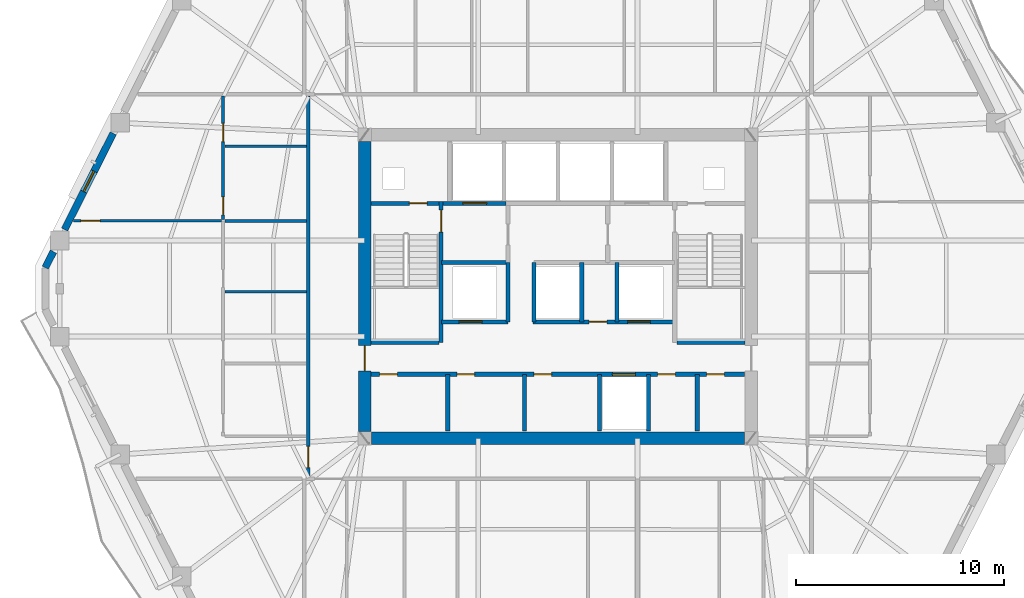
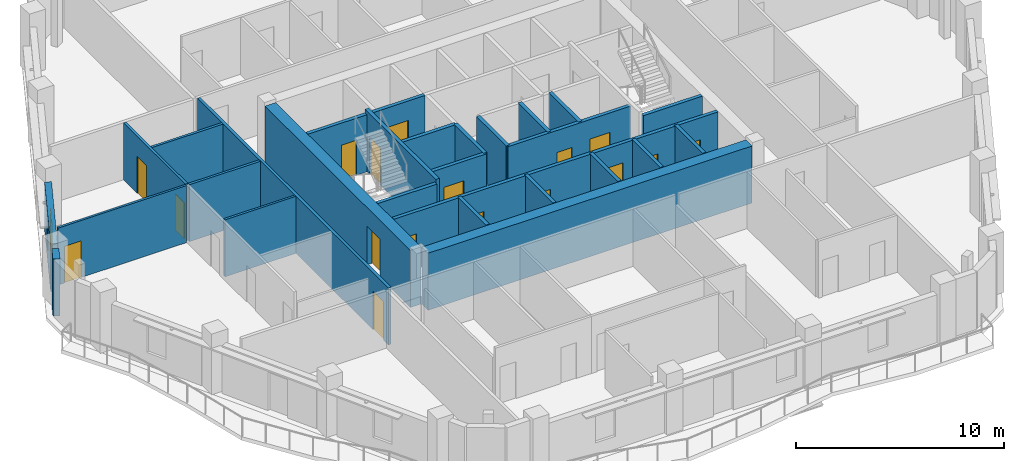
# One storey, part 5 of 12: 28 walls, 17 doors, 1 window, 18 openings.
"""IFC4 building model written with IfcOpenShell, lengths in metres."""

from ifc_helpers import new_model, si_unit, direction, frame, frame_2d, origin, place, context, subcontext, project, spatial, rectangle, extrude, material, layer, layer_set, type_object, element, fill, save


model = new_model("IFC4")

# Units and contexts
model_context = context("Model", 3, precision=1e-05, world=origin(), true_north=direction((0.0, 1.0)))
body_context = subcontext(model_context, "Body", "Model", "MODEL_VIEW")
ifc_project = project(units=[si_unit("LENGTHUNIT", "METRE"), si_unit("AREAUNIT", "SQUARE_METRE"), si_unit("VOLUMEUNIT", "CUBIC_METRE"), si_unit("PLANEANGLEUNIT", "RADIAN"), si_unit("MASSUNIT", "GRAM", prefix="KILO")], contexts=[model_context])

# Site, building, storey
site_placement = place(None, origin())
site = spatial("IfcSite", under=ifc_project, at=site_placement, CompositionType="ELEMENT")
building_placement = place(site_placement, origin())
building = spatial("IfcBuilding", under=site, at=building_placement, Name="Cinnabar Lancet Tower", CompositionType="ELEMENT")
storey_placement = place(building_placement, frame((0.0, 0.0, 153.5)))
storey = spatial("IfcBuildingStorey", under=building, at=storey_placement, Name="L40", CompositionType="ELEMENT", Elevation=153.5)

# Wall, opening, door
ifc_material_1 = material(Name="Acoustic twin-stud gypsum partition", Category="gypsum")
ifc_layer_1 = layer(ifc_material_1, 0.159912109375)
ifc_layer_set_1 = layer_set([ifc_layer_1], Name="Acoustic twin-stud gypsum partition")
wall_type_1 = type_object("IfcWallType", Name="ARC-WL-CORR-160", PredefinedType="PARTITIONING", material=ifc_layer_set_1)
wall_1_placement = place(storey_placement, frame((20.39990234375, 16.7451171875, 0.0), z_axis=(0.0, 0.0, 1.0), x_axis=(0.0, 1.0, 0.0)))
wall_1 = element("IfcWall", 1, at=wall_1_placement, inside=storey, type_object=wall_type_1, Name="UW-L40-W01-COR", PredefinedType="PARTITIONING", context=body_context, shape_type="SweptSolid", body=[
    extrude(rectangle(XDim=18.309814453125, YDim=0.159912109375, at=frame_2d((9.15478515625, 0.0))), origin(), (0.0, 0.0, 1.0), 3.340087890625),
])
opening_1_placement = place(wall_1_placement, frame((0.449951171875, 0.0, 0.0)))
opening_1 = element("IfcOpeningElement", 2, at=opening_1_placement, cuts=wall_1, Name="Opening UD-01", PredefinedType="OPENING", context=body_context, shape_type="SweptSolid", body=[
    extrude(rectangle(XDim=1.02001953125, YDim=2.25, at=frame_2d((0.510009765625, 1.125))), frame((0.0, 0.08984375, 0.0), z_axis=(0.0, -1.0, 0.0), x_axis=(1.0, 0.0, 0.0)), (0.0, 0.0, 1.0), 0.179931640625),
])
ifc_material_2 = material(Name="Solid timber fire-rated apartment entrance door", Category="wood")
door_type_1 = type_object("IfcDoorType", Name="ARC-DR-UNIT", OperationType="NOTDEFINED", PredefinedType="DOOR", material=ifc_material_2)
door_1_placement = place(opening_1_placement, origin())
door_1 = element("IfcDoor", 3, at=door_1_placement, inside=storey, type_object=door_type_1, Name="DR-L40-W01-ENT", OperationType="SINGLE_SWING_LEFT", OverallHeight=2.25, OverallWidth=1.02001953125, PredefinedType="DOOR", context=body_context, shape_type="SweptSolid", body=[
    extrude(rectangle(XDim=1.02001953125, YDim=2.25, at=frame_2d((0.510009765625, 1.125))), frame((0.0, 0.02490234375, 0.0), z_axis=(0.0, -1.0, 0.0), x_axis=(1.0, 0.0, 0.0)), (0.0, 0.0, 1.0), 0.050048828125),
])
fill(opening_1, door_1)

# Walls
ifc_material_3 = material(Name="Autoclaved aerated concrete blockwork", Category="masonry")
ifc_layer_2 = layer(ifc_material_3, 0.199951171875)
ifc_layer_set_2 = layer_set([ifc_layer_2], Name="Autoclaved aerated concrete blockwork")
wall_type_2 = type_object("IfcWallType", Name="ARC-WL-SHAFT-200", PredefinedType="PLUMBINGWALL", material=ifc_layer_set_2)
for number, where, z_axis, x_axis, name in (
    (4, (23.405029296875, 23.199951171875, 0.0), (0.0, 0.0, 1.0), (1.0, 0.0, 0.0), "CW-ST1S-L40"),
    (5, (38.125, 23.199951171875, 0.0), (0.0, 0.0, 1.0), (1.0, 0.0, 0.0), "CW-ST2S-L40"),
):
    element("IfcWall", number, at=place(storey_placement, frame(where, z_axis=z_axis, x_axis=x_axis)), inside=storey, type_object=wall_type_2, Name=name, PredefinedType="PLUMBINGWALL", context=body_context, shape_type="SweptSolid", body=[
        extrude(rectangle(XDim=3.27001953125, YDim=0.199951171875, at=frame_2d((1.635009765625, 0.0))), origin(), (0.0, 0.0, 1.0), 3.340087890625),
    ])

# Wall, opening, door
wall_2_placement = place(storey_placement, frame((23.405029296875, 29.89990234375, 0.0), z_axis=(0.0, 0.0, 1.0), x_axis=(1.0, 0.0, 0.0)))
wall_2 = element("IfcWall", 6, at=wall_2_placement, inside=storey, type_object=wall_type_2, Name="CW-NSH-W-L40", PredefinedType="PLUMBINGWALL", context=body_context, shape_type="SweptSolid", body=[
    extrude(rectangle(XDim=3.27001953125, YDim=0.199951171875, at=frame_2d((1.635009765625, 0.0))), origin(), (0.0, 0.0, 1.0), 3.340087890625),
])
opening_2_placement = place(wall_2_placement, frame((1.85009765625, 0.0, 0.0)))
opening_2 = element("IfcOpeningElement", 7, at=opening_2_placement, cuts=wall_2, Name="Opening PD-02", PredefinedType="OPENING", context=body_context, shape_type="SweptSolid", body=[
    extrude(rectangle(XDim=0.85009765625, YDim=2.050048828125, at=frame_2d((0.425048828125, 1.02490234375))), frame((0.0, 0.10986328125, 0.0), z_axis=(0.0, -1.0, 0.0), x_axis=(1.0, 0.0, 0.0)), (0.0, 0.0, 1.0), 0.219970703125),
])
ifc_material_4 = material(Name="Fire-rated steel riser access door", Category="steel")
door_type_2 = type_object("IfcDoorType", Name="ARC-DR-RISER", OperationType="NOTDEFINED", PredefinedType="DOOR", material=ifc_material_4)
door_2_placement = place(opening_2_placement, origin())
door_2 = element("IfcDoor", 8, at=door_2_placement, inside=storey, type_object=door_type_2, Name="L40 West Riser Access Door", OperationType="SINGLE_SWING_LEFT", OverallHeight=2.050048828125, OverallWidth=0.85009765625, PredefinedType="DOOR", context=body_context, shape_type="SweptSolid", body=[
    extrude(rectangle(XDim=0.85009765625, YDim=2.050048828125, at=frame_2d((0.425048828125, 1.02490234375))), frame((0.0, 0.02490234375, 0.0), z_axis=(0.0, -1.0, 0.0), x_axis=(1.0, 0.0, 0.0)), (0.0, 0.0, 1.0), 0.050048828125),
])
fill(opening_2, door_2)

wall_3_placement = place(storey_placement, frame((26.885009765625, 29.89990234375, 0.0), z_axis=(0.0, 0.0, 1.0), x_axis=(1.0, 0.0, 0.0)))
wall_3 = element("IfcWall", 9, at=wall_3_placement, inside=storey, type_object=wall_type_2, Name="CW-FL1-L40", PredefinedType="PLUMBINGWALL", context=body_context, shape_type="SweptSolid", body=[
    extrude(rectangle(XDim=3.014892578125, YDim=0.199951171875, at=frame_2d((1.50732421875, 0.0))), origin(), (0.0, 0.0, 1.0), 3.340087890625),
])
opening_3_placement = place(wall_3_placement, frame((0.93994140625, 0.0, 0.0)))
opening_3 = element("IfcOpeningElement", 10, at=opening_3_placement, cuts=wall_3, Name="Opening LD-02", PredefinedType="OPENING", context=body_context, shape_type="SweptSolid", body=[
    extrude(rectangle(XDim=1.14990234375, YDim=2.199951171875, at=frame_2d((0.574951171875, 1.10009765625))), frame((0.0, 0.10986328125, 0.0), z_axis=(0.0, -1.0, 0.0), x_axis=(1.0, 0.0, 0.0)), (0.0, 0.0, 1.0), 0.219970703125),
])
ifc_material_5 = material(Name="Fire-rated stainless steel firefighting lift landing door", Category="steel")
door_type_3 = type_object("IfcDoorType", Name="ARC-DR-LD-FIRE", OperationType="NOTDEFINED", PredefinedType="DOOR", material=ifc_material_5)
door_3_placement = place(opening_3_placement, origin())
door_3 = element("IfcDoor", 11, at=door_3_placement, inside=storey, type_object=door_type_3, Name="L40 Firefighting Lift FL-1 Landing Door", OperationType="DOUBLE_DOOR_SLIDING", OverallHeight=2.199951171875, OverallWidth=1.14990234375, PredefinedType="DOOR", context=body_context, shape_type="SweptSolid", body=[
    extrude(rectangle(XDim=1.14990234375, YDim=2.199951171875, at=frame_2d((0.574951171875, 1.10009765625))), frame((0.0, 0.02490234375, 0.0), z_axis=(0.0, -1.0, 0.0), x_axis=(1.0, 0.0, 0.0)), (0.0, 0.0, 1.0), 0.050048828125),
])
fill(opening_3, door_3)

# Wall
wall_4_placement = place(storey_placement, frame((26.800048828125, 27.050048828125, 0.0), z_axis=(0.0, 0.0, 1.0), x_axis=(1.0, 0.0, 0.0)))
element("IfcWall", 12, at=wall_4_placement, inside=storey, type_object=wall_type_2, Name="CW-FF1S-L40", PredefinedType="PLUMBINGWALL", context=body_context, shape_type="SweptSolid", body=[
    extrude(rectangle(XDim=3.199951171875, YDim=0.199951171875, at=frame_2d((1.60009765625, 0.0))), origin(), (0.0, 0.0, 1.0), 3.340087890625),
])

# Wall, opening, door
wall_5_placement = place(storey_placement, frame((26.800048828125, 24.199951171875, 0.0), z_axis=(0.0, 0.0, 1.0), x_axis=(1.0, 0.0, 0.0)))
wall_5 = element("IfcWall", 13, at=wall_5_placement, inside=storey, type_object=wall_type_2, Name="CW-PL5S-L40", PredefinedType="PLUMBINGWALL", context=body_context, shape_type="SweptSolid", body=[
    extrude(rectangle(XDim=3.199951171875, YDim=0.199951171875, at=frame_2d((1.60009765625, 0.0))), origin(), (0.0, 0.0, 1.0), 3.340087890625),
])
opening_4_placement = place(wall_5_placement, frame((0.85009765625, 0.0, 0.0)))
opening_4 = element("IfcOpeningElement", 14, at=opening_4_placement, cuts=wall_5, Name="Opening LD-01", PredefinedType="OPENING", context=body_context, shape_type="SweptSolid", body=[
    extrude(rectangle(XDim=1.10009765625, YDim=2.199951171875, at=frame_2d((0.550048828125, 1.10009765625))), frame((0.0, 0.10986328125, 0.0), z_axis=(0.0, -1.0, 0.0), x_axis=(1.0, 0.0, 0.0)), (0.0, 0.0, 1.0), 0.219970703125),
])
ifc_material_6 = material(Name="Brushed stainless steel sliding lift door", Category="steel")
door_type_4 = type_object("IfcDoorType", Name="ARC-DR-LD-PASS", OperationType="NOTDEFINED", PredefinedType="DOOR", material=ifc_material_6)
door_4_placement = place(opening_4_placement, origin())
door_4 = element("IfcDoor", 15, at=door_4_placement, inside=storey, type_object=door_type_4, Name="L40 Lift PL-5 Landing Door", OperationType="DOUBLE_DOOR_SLIDING", OverallHeight=2.199951171875, OverallWidth=1.10009765625, PredefinedType="DOOR", context=body_context, shape_type="SweptSolid", body=[
    extrude(rectangle(XDim=1.10009765625, YDim=2.199951171875, at=frame_2d((0.550048828125, 1.10009765625))), frame((0.0, 0.02490234375, 0.0), z_axis=(0.0, -1.0, 0.0), x_axis=(1.0, 0.0, 0.0)), (0.0, 0.0, 1.0), 0.050048828125),
])
fill(opening_4, door_4)

# Wall
wall_6_placement = place(storey_placement, frame((30.0, 24.199951171875, 0.0), z_axis=(0.0, 0.0, 1.0), x_axis=(0.0, 1.0, 0.0)))
element("IfcWall", 16, at=wall_6_placement, inside=storey, type_object=wall_type_2, Name="CW-PL5E-L40", PredefinedType="PLUMBINGWALL", context=body_context, shape_type="SweptSolid", body=[
    extrude(rectangle(XDim=2.85009765625, YDim=0.199951171875, at=frame_2d((1.425048828125, 0.0))), origin(), (0.0, 0.0, 1.0), 3.340087890625),
])

# Wall, openings, doors
wall_7_placement = place(storey_placement, frame((31.199951171875, 24.199951171875, 0.0), z_axis=(0.0, 0.0, 1.0), x_axis=(1.0, 0.0, 0.0)))
wall_7 = element("IfcWall", 17, at=wall_7_placement, inside=storey, type_object=wall_type_2, Name="CW-PL96S-L40", PredefinedType="PLUMBINGWALL", context=body_context, shape_type="SweptSolid", body=[
    extrude(rectangle(XDim=6.800048828125, YDim=0.199951171875, at=frame_2d((3.39990234375, 0.0))), origin(), (0.0, 0.0, 1.0), 3.340087890625),
])
opening_5_placement = place(wall_7_placement, frame((2.699951171875, 0.0, 0.0)))
opening_5 = element("IfcOpeningElement", 18, at=opening_5_placement, cuts=wall_7, Name="Opening PD-02", PredefinedType="OPENING", context=body_context, shape_type="SweptSolid", body=[
    extrude(rectangle(XDim=0.85009765625, YDim=2.050048828125, at=frame_2d((0.425048828125, 1.02490234375))), frame((0.0, 0.10986328125, 0.0), z_axis=(0.0, -1.0, 0.0), x_axis=(1.0, 0.0, 0.0)), (0.0, 0.0, 1.0), 0.219970703125),
])
opening_6_placement = place(wall_7_placement, frame((4.550048828125, 0.0, 0.0)))
opening_6 = element("IfcOpeningElement", 19, at=opening_6_placement, cuts=wall_7, Name="Opening LD-01", PredefinedType="OPENING", context=body_context, shape_type="SweptSolid", body=[
    extrude(rectangle(XDim=1.10009765625, YDim=2.199951171875, at=frame_2d((0.550048828125, 1.10009765625))), frame((0.0, 0.10986328125, 0.0), z_axis=(0.0, -1.0, 0.0), x_axis=(1.0, 0.0, 0.0)), (0.0, 0.0, 1.0), 0.219970703125),
])
door_5_placement = place(opening_6_placement, origin())
door_5 = element("IfcDoor", 20, at=door_5_placement, inside=storey, type_object=door_type_4, Name="L40 Lift PL-6 Landing Door", OperationType="DOUBLE_DOOR_SLIDING", OverallHeight=2.199951171875, OverallWidth=1.10009765625, PredefinedType="DOOR", context=body_context, shape_type="SweptSolid", body=[
    extrude(rectangle(XDim=1.10009765625, YDim=2.199951171875, at=frame_2d((0.550048828125, 1.10009765625))), frame((0.0, 0.02490234375, 0.0), z_axis=(0.0, -1.0, 0.0), x_axis=(1.0, 0.0, 0.0)), (0.0, 0.0, 1.0), 0.050048828125),
])
fill(opening_6, door_5)
door_6_placement = place(opening_5_placement, origin())
door_6 = element("IfcDoor", 21, at=door_6_placement, inside=storey, type_object=door_type_2, Name="L40 BMS Closet Door", OperationType="SINGLE_SWING_LEFT", OverallHeight=2.050048828125, OverallWidth=0.85009765625, PredefinedType="DOOR", context=body_context, shape_type="SweptSolid", body=[
    extrude(rectangle(XDim=0.85009765625, YDim=2.050048828125, at=frame_2d((0.425048828125, 1.02490234375))), frame((0.0, 0.02490234375, 0.0), z_axis=(0.0, -1.0, 0.0), x_axis=(1.0, 0.0, 0.0)), (0.0, 0.0, 1.0), 0.050048828125),
])
fill(opening_5, door_6)

# Walls
for number, where, z_axis, x_axis, name in (
    (22, (31.25, 24.199951171875, 0.0), (0.0, 0.0, 1.0), (0.0, 1.0, 0.0), "CW-PL9W-L40"),
    (23, (33.550048828125, 24.199951171875, 0.0), (0.0, 0.0, 1.0), (0.0, 1.0, 0.0), "CW-PL9E-L40"),
    (24, (35.25, 24.199951171875, 0.0), (0.0, 0.0, 1.0), (0.0, 1.0, 0.0), "CW-PL6W-L40"),
):
    element("IfcWall", number, at=place(storey_placement, frame(where, z_axis=z_axis, x_axis=x_axis)), inside=storey, type_object=wall_type_2, Name=name, PredefinedType="PLUMBINGWALL", context=body_context, shape_type="SweptSolid", body=[
        extrude(rectangle(XDim=2.85009765625, YDim=0.199951171875, at=frame_2d((1.425048828125, 0.0))), origin(), (0.0, 0.0, 1.0), 3.340087890625),
    ])

# Wall, openings, doors
wall_8_placement = place(storey_placement, frame((23.419921875, 21.679931640625, 0.0), z_axis=(0.0, 0.0, 1.0), x_axis=(1.0, 0.0, 0.0)))
wall_8 = element("IfcWall", 25, at=wall_8_placement, inside=storey, type_object=wall_type_2, Name="CW-SBANDN-L40", PredefinedType="PLUMBINGWALL", context=body_context, shape_type="SweptSolid", body=[
    extrude(rectangle(XDim=17.9599609375, YDim=0.199951171875, at=frame_2d((8.97998046875, 0.0))), origin(), (0.0, 0.0, 1.0), 3.340087890625),
])
opening_7_placement = place(wall_8_placement, frame((11.60009765625, 0.0, 0.0)))
opening_7 = element("IfcOpeningElement", 26, at=opening_7_placement, cuts=wall_8, Name="Opening LD-01", PredefinedType="OPENING", context=body_context, shape_type="SweptSolid", body=[
    extrude(rectangle(XDim=1.10009765625, YDim=2.199951171875, at=frame_2d((0.550048828125, 1.10009765625))), frame((0.0, 0.10986328125, 0.0), z_axis=(0.0, -1.0, 0.0), x_axis=(1.0, 0.0, 0.0)), (0.0, 0.0, 1.0), 0.219970703125),
])
opening_8_placement = place(wall_8_placement, frame((0.409912109375, 0.0, 0.0)))
opening_8 = element("IfcOpeningElement", 27, at=opening_8_placement, cuts=wall_8, Name="Opening PD-02", PredefinedType="OPENING", context=body_context, shape_type="SweptSolid", body=[
    extrude(rectangle(XDim=0.85009765625, YDim=2.050048828125, at=frame_2d((0.425048828125, 1.02490234375))), frame((0.0, 0.10986328125, 0.0), z_axis=(0.0, -1.0, 0.0), x_axis=(1.0, 0.0, 0.0)), (0.0, 0.0, 1.0), 0.219970703125),
])
opening_9_placement = place(wall_8_placement, frame((4.1298828125, 0.0, 0.0)))
opening_9 = element("IfcOpeningElement", 28, at=opening_9_placement, cuts=wall_8, Name="Opening PD-02", PredefinedType="OPENING", context=body_context, shape_type="SweptSolid", body=[
    extrude(rectangle(XDim=0.85009765625, YDim=2.050048828125, at=frame_2d((0.425048828125, 1.02490234375))), frame((0.0, 0.10986328125, 0.0), z_axis=(0.0, -1.0, 0.0), x_axis=(1.0, 0.0, 0.0)), (0.0, 0.0, 1.0), 0.219970703125),
])
opening_10_placement = place(wall_8_placement, frame((7.830078125, 0.0, 0.0)))
opening_10 = element("IfcOpeningElement", 29, at=opening_10_placement, cuts=wall_8, Name="Opening PD-02", PredefinedType="OPENING", context=body_context, shape_type="SweptSolid", body=[
    extrude(rectangle(XDim=0.85009765625, YDim=2.050048828125, at=frame_2d((0.425048828125, 1.02490234375))), frame((0.0, 0.10986328125, 0.0), z_axis=(0.0, -1.0, 0.0), x_axis=(1.0, 0.0, 0.0)), (0.0, 0.0, 1.0), 0.219970703125),
])
opening_11_placement = place(wall_8_placement, frame((13.780029296875, 0.0, 0.0)))
opening_11 = element("IfcOpeningElement", 30, at=opening_11_placement, cuts=wall_8, Name="Opening PD-02", PredefinedType="OPENING", context=body_context, shape_type="SweptSolid", body=[
    extrude(rectangle(XDim=0.85009765625, YDim=2.050048828125, at=frame_2d((0.425048828125, 1.02490234375))), frame((0.0, 0.10986328125, 0.0), z_axis=(0.0, -1.0, 0.0), x_axis=(1.0, 0.0, 0.0)), (0.0, 0.0, 1.0), 0.219970703125),
])
opening_12_placement = place(wall_8_placement, frame((16.1298828125, 0.0, 0.0)))
opening_12 = element("IfcOpeningElement", 31, at=opening_12_placement, cuts=wall_8, Name="Opening PD-02", PredefinedType="OPENING", context=body_context, shape_type="SweptSolid", body=[
    extrude(rectangle(XDim=0.85009765625, YDim=2.050048828125, at=frame_2d((0.425048828125, 1.02490234375))), frame((0.0, 0.10986328125, 0.0), z_axis=(0.0, -1.0, 0.0), x_axis=(1.0, 0.0, 0.0)), (0.0, 0.0, 1.0), 0.219970703125),
])
door_7_placement = place(opening_7_placement, origin())
door_7 = element("IfcDoor", 32, at=door_7_placement, inside=storey, type_object=door_type_4, Name="L40 Lift PL-4 Landing Door", OperationType="DOUBLE_DOOR_SLIDING", OverallHeight=2.199951171875, OverallWidth=1.10009765625, PredefinedType="DOOR", context=body_context, shape_type="SweptSolid", body=[
    extrude(rectangle(XDim=1.10009765625, YDim=2.199951171875, at=frame_2d((0.550048828125, 1.10009765625))), frame((0.0, 0.02490234375, 0.0), z_axis=(0.0, -1.0, 0.0), x_axis=(1.0, 0.0, 0.0)), (0.0, 0.0, 1.0), 0.050048828125),
])
fill(opening_7, door_7)
door_8_placement = place(opening_8_placement, origin())
door_8 = element("IfcDoor", 33, at=door_8_placement, inside=storey, type_object=door_type_2, Name="DR-L40-MREC1", OperationType="SINGLE_SWING_LEFT", OverallHeight=2.050048828125, OverallWidth=0.85009765625, PredefinedType="DOOR", context=body_context, shape_type="SweptSolid", body=[
    extrude(rectangle(XDim=0.85009765625, YDim=2.050048828125, at=frame_2d((0.425048828125, 1.02490234375))), frame((0.0, 0.02490234375, 0.0), z_axis=(0.0, -1.0, 0.0), x_axis=(1.0, 0.0, 0.0)), (0.0, 0.0, 1.0), 0.050048828125),
])
fill(opening_8, door_8)
door_9_placement = place(opening_9_placement, origin())
door_9 = element("IfcDoor", 34, at=door_9_placement, inside=storey, type_object=door_type_2, Name="DR-L40-MREC2", OperationType="SINGLE_SWING_RIGHT", OverallHeight=2.050048828125, OverallWidth=0.85009765625, PredefinedType="DOOR", context=body_context, shape_type="SweptSolid", body=[
    extrude(rectangle(XDim=0.85009765625, YDim=2.050048828125, at=frame_2d((0.425048828125, 1.02490234375))), frame((0.0, 0.02490234375, 0.0), z_axis=(0.0, -1.0, 0.0), x_axis=(1.0, 0.0, 0.0)), (0.0, 0.0, 1.0), 0.050048828125),
])
fill(opening_9, door_9)
door_10_placement = place(opening_10_placement, origin())
door_10 = element("IfcDoor", 35, at=door_10_placement, inside=storey, type_object=door_type_2, Name="DR-L40-MREC3", OperationType="SINGLE_SWING_LEFT", OverallHeight=2.050048828125, OverallWidth=0.85009765625, PredefinedType="DOOR", context=body_context, shape_type="SweptSolid", body=[
    extrude(rectangle(XDim=0.85009765625, YDim=2.050048828125, at=frame_2d((0.425048828125, 1.02490234375))), frame((0.0, 0.02490234375, 0.0), z_axis=(0.0, -1.0, 0.0), x_axis=(1.0, 0.0, 0.0)), (0.0, 0.0, 1.0), 0.050048828125),
])
fill(opening_10, door_10)
door_11_placement = place(opening_11_placement, origin())
door_11 = element("IfcDoor", 36, at=door_11_placement, inside=storey, type_object=door_type_2, Name="DR-L40-MREC4", OperationType="SINGLE_SWING_RIGHT", OverallHeight=2.050048828125, OverallWidth=0.85009765625, PredefinedType="DOOR", context=body_context, shape_type="SweptSolid", body=[
    extrude(rectangle(XDim=0.85009765625, YDim=2.050048828125, at=frame_2d((0.425048828125, 1.02490234375))), frame((0.0, 0.02490234375, 0.0), z_axis=(0.0, -1.0, 0.0), x_axis=(1.0, 0.0, 0.0)), (0.0, 0.0, 1.0), 0.050048828125),
])
fill(opening_11, door_11)
door_12_placement = place(opening_12_placement, origin())
door_12 = element("IfcDoor", 37, at=door_12_placement, inside=storey, type_object=door_type_2, Name="DR-L40-MREC5", OperationType="SINGLE_SWING_LEFT", OverallHeight=2.050048828125, OverallWidth=0.85009765625, PredefinedType="DOOR", context=body_context, shape_type="SweptSolid", body=[
    extrude(rectangle(XDim=0.85009765625, YDim=2.050048828125, at=frame_2d((0.425048828125, 1.02490234375))), frame((0.0, 0.02490234375, 0.0), z_axis=(0.0, -1.0, 0.0), x_axis=(1.0, 0.0, 0.0)), (0.0, 0.0, 1.0), 0.050048828125),
])
fill(opening_12, door_12)

# Walls
for number, where, z_axis, x_axis, name in (
    (38, (34.39990234375, 18.949951171875, 0.0), (0.0, 0.0, 1.0), (0.0, 1.0, 0.0), "CW-SB-3440-L40"),
    (39, (36.75, 18.949951171875, 0.0), (0.0, 0.0, 1.0), (0.0, 1.0, 0.0), "CW-SB-3675-L40"),
    (40, (27.10009765625, 18.949951171875, 0.0), (0.0, 0.0, 1.0), (0.0, 1.0, 0.0), "CW-SB-2710-L40"),
    (41, (30.800048828125, 18.949951171875, 0.0), (0.0, 0.0, 1.0), (0.0, 1.0, 0.0), "CW-SB-3080-L40"),
    (42, (39.10009765625, 18.949951171875, 0.0), (0.0, 0.0, 1.0), (0.0, 1.0, 0.0), "CW-SB-3910-L40"),
):
    element("IfcWall", number, at=place(storey_placement, frame(where, z_axis=z_axis, x_axis=x_axis)), inside=storey, type_object=wall_type_2, Name=name, PredefinedType="PLUMBINGWALL", context=body_context, shape_type="SweptSolid", body=[
        extrude(rectangle(XDim=2.72998046875, YDim=0.199951171875, at=frame_2d((1.364990234375, 0.0))), origin(), (0.0, 0.0, 1.0), 3.340087890625),
    ])

# Wall, opening, door
ifc_material_7 = material(Name="Gypsum plasterboard stud partition", Category="gypsum")
ifc_layer_3 = layer(ifc_material_7, 0.125)
ifc_layer_set_3 = layer_set([ifc_layer_3], Name="Gypsum plasterboard stud partition")
wall_type_3 = type_object("IfcWallType", Name="ARC-WL-UNIT-125", PredefinedType="PARTITIONING", material=ifc_layer_set_3)
wall_9_placement = place(storey_placement, frame((9.111083984375, 29.054931640625, 0.0), z_axis=(0.0, 0.0, 1.0), x_axis=(1.0, 0.0, 0.0)))
wall_9 = element("IfcWall", 43, at=wall_9_placement, inside=storey, type_object=wall_type_3, Name="UW-L40-W01-MBN", PredefinedType="PARTITIONING", context=body_context, shape_type="SweptSolid", body=[
    extrude(rectangle(XDim=7.114013671875, YDim=0.125, at=frame_2d((3.55712890625, 0.0))), origin(), (0.0, 0.0, 1.0), 3.340087890625),
])
opening_13_placement = place(wall_9_placement, frame((0.35009765625, 0.0, 0.0)))
opening_13 = element("IfcOpeningElement", 44, at=opening_13_placement, cuts=wall_9, Name="Opening RD-01", PredefinedType="OPENING", context=body_context, shape_type="SweptSolid", body=[
    extrude(rectangle(XDim=0.919921875, YDim=2.14990234375, at=frame_2d((0.4599609375, 1.074951171875))), frame((0.0, 0.072509765625, 0.0), z_axis=(0.0, -1.0, 0.0), x_axis=(1.0, 0.0, 0.0)), (0.0, 0.0, 1.0), 0.14501953125),
])
ifc_material_8 = material(Name="Engineered timber bedroom door", Category="wood")
door_type_5 = type_object("IfcDoorType", Name="ARC-DR-ROOM", OperationType="NOTDEFINED", PredefinedType="DOOR", material=ifc_material_8)
door_13_placement = place(opening_13_placement, origin())
door_13 = element("IfcDoor", 45, at=door_13_placement, inside=storey, type_object=door_type_5, Name="DR-L40-W01-MBD", OperationType="SINGLE_SWING_LEFT", OverallHeight=2.14990234375, OverallWidth=0.919921875, PredefinedType="DOOR", context=body_context, shape_type="SweptSolid", body=[
    extrude(rectangle(XDim=0.919921875, YDim=2.14990234375, at=frame_2d((0.4599609375, 1.074951171875))), frame((0.0, 0.02490234375, 0.0), z_axis=(0.0, -1.0, 0.0), x_axis=(1.0, 0.0, 0.0)), (0.0, 0.0, 1.0), 0.050048828125),
])
fill(opening_13, door_13)

# Wall
wall_10_placement = place(storey_placement, frame((16.385009765625, 25.655029296875, 0.0), z_axis=(0.0, 0.0, 1.0), x_axis=(1.0, 0.0, 0.0)))
element("IfcWall", 46, at=wall_10_placement, inside=storey, type_object=wall_type_3, Name="UW-L40-W01-UDV", PredefinedType="PARTITIONING", context=body_context, shape_type="SweptSolid", body=[
    extrude(rectangle(XDim=3.929931640625, YDim=0.125, at=frame_2d((1.96484375, 0.0))), origin(), (0.0, 0.0, 1.0), 3.340087890625),
])

# Wall, openings, doors
ifc_material_9 = material(Name="Moisture-resistant cement-board plumbing wall", Category="masonry")
ifc_layer_4 = layer(ifc_material_9, 0.139892578125)
ifc_layer_set_4 = layer_set([ifc_layer_4], Name="Moisture-resistant cement-board plumbing wall")
wall_type_4 = type_object("IfcWallType", Name="ARC-WL-WET-140", PredefinedType="PLUMBINGWALL", material=ifc_layer_set_4)
wall_11_placement = place(storey_placement, frame((16.300048828125, 29.125, 0.0), z_axis=(0.0, 0.0, 1.0), x_axis=(0.0, 1.0, 0.0)))
wall_11 = element("IfcWall", 47, at=wall_11_placement, inside=storey, type_object=wall_type_4, Name="UW-L40-W01-SPM", PredefinedType="PLUMBINGWALL", context=body_context, shape_type="SweptSolid", body=[
    extrude(rectangle(XDim=5.929931640625, YDim=0.139892578125, at=frame_2d((2.96484375, 0.0))), origin(), (0.0, 0.0, 1.0), 3.340087890625),
])
opening_14_placement = place(wall_11_placement, frame((0.219970703125, 0.0, 0.0)))
opening_14 = element("IfcOpeningElement", 48, at=opening_14_placement, cuts=wall_11, Name="Opening BD-01", PredefinedType="OPENING", context=body_context, shape_type="SweptSolid", body=[
    extrude(rectangle(XDim=0.860107421875, YDim=2.10009765625, at=frame_2d((0.43017578125, 1.050048828125))), frame((0.0, 0.079833984375, 0.0), z_axis=(0.0, -1.0, 0.0), x_axis=(1.0, 0.0, 0.0)), (0.0, 0.0, 1.0), 0.159912109375),
])
opening_15_placement = place(wall_11_placement, frame((3.739990234375, 0.0, 0.0)))
opening_15 = element("IfcOpeningElement", 49, at=opening_15_placement, cuts=wall_11, Name="Opening RD-02", PredefinedType="OPENING", context=body_context, shape_type="SweptSolid", body=[
    extrude(rectangle(XDim=0.8798828125, YDim=2.14990234375, at=frame_2d((0.43994140625, 1.074951171875))), frame((0.0, 0.079833984375, 0.0), z_axis=(0.0, -1.0, 0.0), x_axis=(1.0, 0.0, 0.0)), (0.0, 0.0, 1.0), 0.159912109375),
])
ifc_material_10 = material(Name="Moisture-resistant timber bathroom door", Category="wood")
door_type_6 = type_object("IfcDoorType", Name="ARC-DR-BATH", OperationType="NOTDEFINED", PredefinedType="DOOR", material=ifc_material_10)
door_14_placement = place(opening_14_placement, origin())
door_14 = element("IfcDoor", 50, at=door_14_placement, inside=storey, type_object=door_type_6, Name="DR-L40-W01-ENS", OperationType="SINGLE_SWING_LEFT", OverallHeight=2.10009765625, OverallWidth=0.860107421875, PredefinedType="DOOR", context=body_context, shape_type="SweptSolid", body=[
    extrude(rectangle(XDim=0.860107421875, YDim=2.10009765625, at=frame_2d((0.43017578125, 1.050048828125))), frame((0.0, 0.02490234375, 0.0), z_axis=(0.0, -1.0, 0.0), x_axis=(1.0, 0.0, 0.0)), (0.0, 0.0, 1.0), 0.050048828125),
])
fill(opening_14, door_14)
ifc_material_11 = material(Name="Engineered timber study door", Category="wood")
door_type_7 = type_object("IfcDoorType", Name="ARC-DR-STUDY", OperationType="NOTDEFINED", PredefinedType="DOOR", material=ifc_material_11)
door_15_placement = place(opening_15_placement, origin())
door_15 = element("IfcDoor", 51, at=door_15_placement, inside=storey, type_object=door_type_7, Name="DR-L40-W01-EWDR", OperationType="SINGLE_SWING_RIGHT", OverallHeight=2.14990234375, OverallWidth=0.8798828125, PredefinedType="DOOR", context=body_context, shape_type="SweptSolid", body=[
    extrude(rectangle(XDim=0.8798828125, YDim=2.14990234375, at=frame_2d((0.43994140625, 1.074951171875))), frame((0.0, 0.02490234375, 0.0), z_axis=(0.0, -1.0, 0.0), x_axis=(1.0, 0.0, 0.0)), (0.0, 0.0, 1.0), 0.050048828125),
])
fill(opening_15, door_15)

# Walls
for number, where, z_axis, x_axis, name in (
    (52, (16.385009765625, 29.054931640625, 0.0), (0.0, 0.0, 1.0), (1.0, 0.0, 0.0), "UW-L40-W01-ENSN"),
    (53, (16.385009765625, 32.64501953125, 0.0), (0.0, 0.0, 1.0), (1.0, 0.0, 0.0), "UW-L40-W01-EWDV"),
):
    element("IfcWall", number, at=place(storey_placement, frame(where, z_axis=z_axis, x_axis=x_axis)), inside=storey, type_object=wall_type_4, Name=name, PredefinedType="PLUMBINGWALL", context=body_context, shape_type="SweptSolid", body=[
        extrude(rectangle(XDim=3.929931640625, YDim=0.139892578125, at=frame_2d((1.96484375, 0.0))), origin(), (0.0, 0.0, 1.0), 3.340087890625),
    ])

# Wall, opening, window
ifc_material_12 = material(Name="Cinnabar red clay brick", Category="masonry")
ifc_layer_5 = layer(ifc_material_12, 0.340087890625)
ifc_layer_set_5 = layer_set([ifc_layer_5], Name="Cinnabar red clay brick")
wall_type_5 = type_object("IfcWallType", Name="ENV-WL-BRK-RED-340", PredefinedType="STANDARD", material=ifc_layer_set_5)
wall_12_placement = place(storey_placement, frame((11.013916015625, 33.261962890625, 0.0), z_axis=(0.0, 0.0, 1.0), x_axis=(-0.451506699894, -0.892267728852, 0.0)))
wall_12 = element("IfcWall", 54, at=wall_12_placement, inside=storey, type_object=wall_type_5, Name="L40 Face 5 Masonry Bay Wall 4", PredefinedType="STANDARD", context=body_context, shape_type="SweptSolid", body=[
    extrude(rectangle(XDim=5.18017578125, YDim=0.340087890625, at=frame_2d((2.590087890625, 0.0))), origin(), (0.0, 0.0, 1.0), 2.797119140625),
])
opening_16_placement = place(wall_12_placement, frame((2.0400390625, 0.0, 0.75)))
opening_16 = element("IfcOpeningElement", 55, at=opening_16_placement, cuts=wall_12, Name="Opening WN-04", PredefinedType="OPENING", context=body_context, shape_type="SweptSolid", body=[
    extrude(rectangle(XDim=1.10009765625, YDim=1.89697265625, at=frame_2d((0.550048828125, 0.948486328125))), frame((0.0, 0.179931640625, 0.0), z_axis=(0.0, -1.0, 0.0), x_axis=(1.0, 0.0, 0.0)), (0.0, 0.0, 1.0), 0.360107421875),
])
ifc_material_13 = material(Name="Thermally broken bronze-anodized aluminium tall lancet window", Category="aluminium")
window_type = type_object("IfcWindowType", Name="ENV-WN-LANCET-1100", PartitioningType="SINGLE_PANEL", PredefinedType="WINDOW", material=ifc_material_13)
window_placement = place(opening_16_placement, origin())
window = element("IfcWindow", 56, at=window_placement, inside=storey, type_object=window_type, Name="L40 Face 5 Gothic Lancet Window 4", OverallHeight=1.89697265625, OverallWidth=1.10009765625, PartitioningType="SINGLE_PANEL", PredefinedType="WINDOW", context=body_context, shape_type="SweptSolid", body=[
    extrude(rectangle(XDim=1.10009765625, YDim=1.89697265625, at=frame_2d((0.550048828125, 0.948486328125))), frame((0.0, 0.030029296875, 0.0), z_axis=(0.0, -1.0, 0.0), x_axis=(1.0, 0.0, 0.0)), (0.0, 0.0, 1.0), 0.06005859375),
])
fill(opening_16, window)

# Walls
wall_13_placement = place(storey_placement, frame((8.138916015625, 27.580078125, 0.0), z_axis=(0.0, 0.0, 1.0), x_axis=(-0.451586578297, -0.892227304168, 0.0)))
element("IfcWall", 57, at=wall_13_placement, inside=storey, type_object=wall_type_5, Name="L40 Face 5 Masonry Bay Wall 5", PredefinedType="STANDARD", context=body_context, shape_type="SweptSolid", body=[
    extrude(rectangle(XDim=0.869873046875, YDim=0.340087890625, at=frame_2d((0.43505859375, 0.0))), origin(), (0.0, 0.0, 1.0), 3.340087890625),
])
ifc_material_14 = material(Name="Concrete C60/75", Category="concrete")
ifc_layer_6 = layer(ifc_material_14, 0.60009765625)
ifc_layer_set_6 = layer_set([ifc_layer_6], Name="Concrete C60/75")
wall_type_6 = type_object("IfcWallType", Name="STR-WL-CORE-600", PredefinedType="SHEAR", material=ifc_layer_set_6)
wall_14_placement = place(storey_placement, frame((23.425048828125, 18.60009765625, 0.0), z_axis=(0.0, 0.0, 1.0), x_axis=(1.0, 0.0, 0.0)))
element("IfcWall", 58, at=wall_14_placement, inside=storey, type_object=wall_type_6, Name="L40 Core Shear Wall S", PredefinedType="SHEAR", context=body_context, shape_type="SweptSolid", body=[
    extrude(rectangle(XDim=17.949951171875, YDim=0.60009765625, at=frame_2d((8.97509765625, 0.0))), origin(), (0.0, 0.0, 1.0), 3.340087890625),
])

# Wall, opening, door
wall_15_placement = place(storey_placement, frame((23.10009765625, 18.925048828125, 0.0), z_axis=(0.0, 0.0, 1.0), x_axis=(0.0, 1.0, 0.0)))
wall_15 = element("IfcWall", 59, at=wall_15_placement, inside=storey, type_object=wall_type_6, Name="L40 Core Shear Wall W", PredefinedType="SHEAR", context=body_context, shape_type="SweptSolid", body=[
    extrude(rectangle(XDim=13.949951171875, YDim=0.60009765625, at=frame_2d((6.97509765625, 0.0))), origin(), (0.0, 0.0, 1.0), 3.340087890625),
])
opening_17_placement = place(wall_15_placement, frame((2.9150390625, 0.0, 0.0)))
opening_17 = element("IfcOpeningElement", 60, at=opening_17_placement, cuts=wall_15, Name="Opening FD-02", PredefinedType="OPENING", context=body_context, shape_type="SweptSolid", body=[
    extrude(rectangle(XDim=1.219970703125, YDim=2.25, at=frame_2d((0.60986328125, 1.125))), frame((0.0, 0.31005859375, 0.0), z_axis=(0.0, -1.0, 0.0), x_axis=(1.0, 0.0, 0.0)), (0.0, 0.0, 1.0), 0.6201171875),
])
ifc_material_15 = material(Name="Fire-rated double-vision core portal door", Category="wood")
door_type_8 = type_object("IfcDoorType", Name="ARC-DR-CPORT", OperationType="NOTDEFINED", PredefinedType="DOOR", material=ifc_material_15)
door_16_placement = place(opening_17_placement, origin())
door_16 = element("IfcDoor", 61, at=door_16_placement, inside=storey, type_object=door_type_8, Name="L40 West Core Lobby Fire Door", OperationType="SINGLE_SWING_RIGHT", OverallHeight=2.25, OverallWidth=1.219970703125, PredefinedType="DOOR", context=body_context, shape_type="SweptSolid", body=[
    extrude(rectangle(XDim=1.219970703125, YDim=2.25, at=frame_2d((0.60986328125, 1.125))), frame((0.0, 0.02490234375, 0.0), z_axis=(0.0, -1.0, 0.0), x_axis=(1.0, 0.0, 0.0)), (0.0, 0.0, 1.0), 0.050048828125),
])
fill(opening_17, door_16)

ifc_material_16 = material(Name="Concrete C50/60", Category="concrete")
ifc_layer_7 = layer(ifc_material_16, 0.199951171875)
ifc_layer_set_7 = layer_set([ifc_layer_7], Name="Concrete C50/60")
wall_type_7 = type_object("IfcWallType", Name="STR-WL-STAIR-200", PredefinedType="SHEAR", material=ifc_layer_set_7)
wall_16_placement = place(storey_placement, frame((26.780029296875, 23.199951171875, 0.0), z_axis=(0.0, 0.0, 1.0), x_axis=(0.0, 1.0, 0.0)))
wall_16 = element("IfcWall", 62, at=wall_16_placement, inside=storey, type_object=wall_type_7, Name="L40 Stair ST-1 Structural Enclosure Wall", PredefinedType="SHEAR", context=body_context, shape_type="SweptSolid", body=[
    extrude(rectangle(XDim=6.780029296875, YDim=0.199951171875, at=frame_2d((3.39013671875, 0.0))), origin(), (0.0, 0.0, 1.0), 3.550048828125),
])
opening_18_placement = place(wall_16_placement, frame((5.320068359375, 0.0, 0.0)))
opening_18 = element("IfcOpeningElement", 63, at=opening_18_placement, cuts=wall_16, Name="Opening SD-01", PredefinedType="OPENING", context=body_context, shape_type="SweptSolid", body=[
    extrude(rectangle(XDim=1.050048828125, YDim=2.14990234375, at=frame_2d((0.52490234375, 1.074951171875))), frame((0.0, 0.10986328125, 0.0), z_axis=(0.0, -1.0, 0.0), x_axis=(1.0, 0.0, 0.0)), (0.0, 0.0, 1.0), 0.219970703125),
])
ifc_material_17 = material(Name="Fire-rated steel stair exit door", Category="steel")
door_type_9 = type_object("IfcDoorType", Name="ARC-DR-STAIR", OperationType="NOTDEFINED", PredefinedType="DOOR", material=ifc_material_17)
door_17_placement = place(opening_18_placement, origin())
door_17 = element("IfcDoor", 64, at=door_17_placement, inside=storey, type_object=door_type_9, Name="L40 Stair ST-1 Fire Door", OperationType="SINGLE_SWING_LEFT", OverallHeight=2.14990234375, OverallWidth=1.050048828125, PredefinedType="DOOR", context=body_context, shape_type="SweptSolid", body=[
    extrude(rectangle(XDim=1.050048828125, YDim=2.14990234375, at=frame_2d((0.52490234375, 1.074951171875))), frame((0.0, 0.02490234375, 0.0), z_axis=(0.0, -1.0, 0.0), x_axis=(1.0, 0.0, 0.0)), (0.0, 0.0, 1.0), 0.050048828125),
])
fill(opening_18, door_17)

save(model, "model.ifc")
